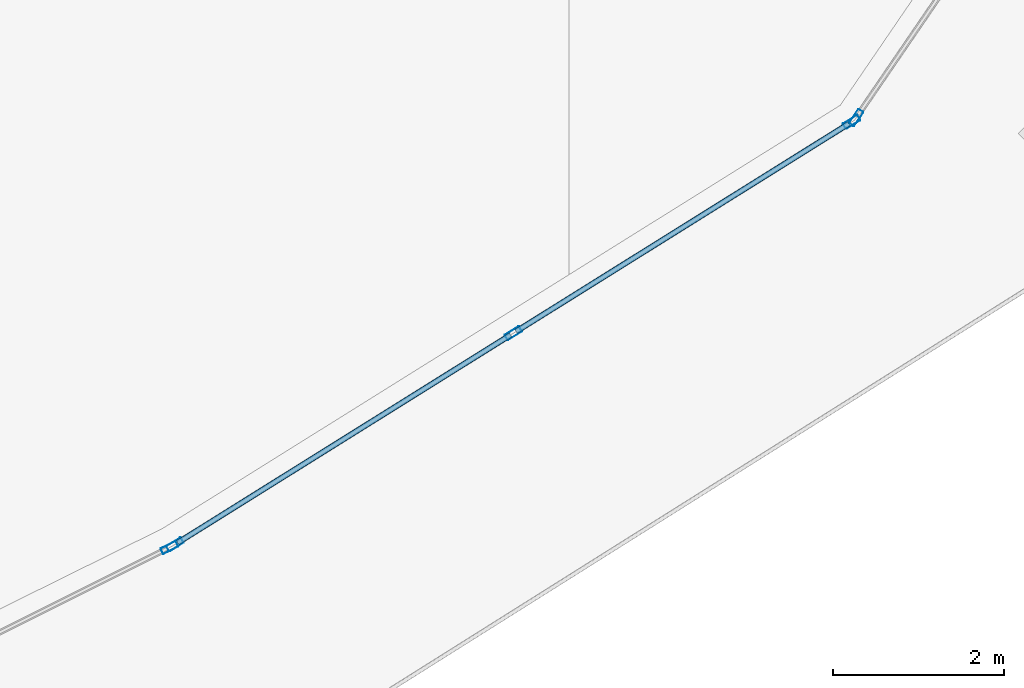
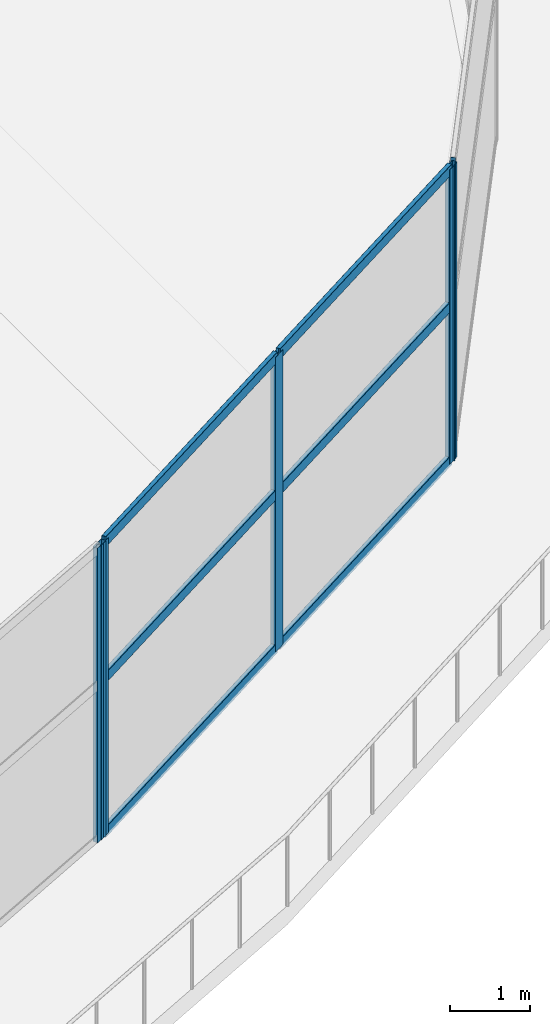
# One storey, part 7 of 42: 11 members, 3 elements without a shape of their own.
"""IFC4 building model written with IfcOpenShell, lengths in metres."""

from ifc_helpers import new_model, si_unit, direction, frame, origin, origin_2d, place, context, subcontext, project, spatial, hollow_rectangle, extrude, material, layer, layer_set, material_profile, profile_set, type_object, element, aggregate, save


model = new_model("IFC4")

# Units and contexts
model_context = context("Model", 3, precision=1e-05, world=origin(), true_north=direction((0.0, 1.0)))
body_context = subcontext(model_context, "Body", "Model", "MODEL_VIEW")
ifc_project = project(units=[si_unit("LENGTHUNIT", "METRE"), si_unit("AREAUNIT", "SQUARE_METRE"), si_unit("VOLUMEUNIT", "CUBIC_METRE"), si_unit("PLANEANGLEUNIT", "RADIAN"), si_unit("MASSUNIT", "GRAM", prefix="KILO")], contexts=[model_context])

# Site, building, storey
site_placement = place(None, origin())
site = spatial("IfcSite", under=ifc_project, at=site_placement, CompositionType="ELEMENT")
building_placement = place(site_placement, origin())
building = spatial("IfcBuilding", under=site, at=building_placement, Name="Qorvath Tower", CompositionType="ELEMENT")
storey_placement = place(building_placement, frame((0.0, 0.0, 105.0)))
storey = spatial("IfcBuildingStorey", under=building, at=storey_placement, Name="L23", CompositionType="ELEMENT", Elevation=105.0)

# Curtain wall, member
ifc_material_1 = material(Name="Anodised aluminium and triple low-E glass", Category="aluminium")
ifc_layer = layer(ifc_material_1, 0.179931640625)
ifc_layer_set = layer_set([ifc_layer], Name="CW-SYS-5")
curtain_wall_type = type_object("IfcCurtainWallType", Name="CW-SYS-5", PredefinedType="NOTDEFINED", material=ifc_layer_set)
curtain_wall_1_placement = place(storey_placement, origin())
curtain_wall_1 = element("IfcCurtainWall", 1, at=curtain_wall_1_placement, inside=storey, type_object=curtain_wall_type, Name="Curtain Wall CW-5 CW-T-L23-3.1", PredefinedType="NOTDEFINED")
ifc_material_2 = material(Name="Anodised aluminium 6063-T6", Category="aluminium")
ifc_material_profile_1 = material_profile(ifc_material_2, hollow_rectangle(XDim=0.074951171875, YDim=0.199951171875, WallThickness=0.00390625, InnerFilletRadius=0.00390625, OuterFilletRadius=0.008056640625, at=origin_2d()), Name="CWM 200x75")
ifc_profile_set_1 = profile_set([ifc_material_profile_1], Name="Anodised aluminium 6063-T6")
member_type_1 = type_object("IfcMemberType", Name="CWM-200", PredefinedType="MULLION", material=ifc_profile_set_1)
member_1_placement = place(storey_placement, frame((-11.0947265625, -29.1474609375, 0.0), z_axis=(0.0, 0.0, 1.0), x_axis=(-0.447189646231, 0.894439165234, 0.0)))
member_1 = element("IfcMember", 2, at=member_1_placement, type_object=member_type_1, Name="CW-5 mullion 2", PredefinedType="MULLION", context=body_context, shape_type="SweptSolid", body=[
    extrude(hollow_rectangle(XDim=0.074951171875, YDim=0.199951171875, WallThickness=0.00390625, InnerFilletRadius=0.00390625, OuterFilletRadius=0.008056640625, at=origin_2d()), origin(), (0.0, 0.0, 1.0), 4.52001953125),
])
aggregate(curtain_wall_1, [member_1])

# Curtain wall, members
curtain_wall_2_placement = place(storey_placement, origin())
curtain_wall_2 = element("IfcCurtainWall", 3, at=curtain_wall_2_placement, inside=storey, type_object=curtain_wall_type, Name="Curtain Wall CW-5 CW-T-L23-4.1", PredefinedType="NOTDEFINED")
member_2_placement = place(storey_placement, frame((-11.029541015625, -29.11083984375, 0.0), z_axis=(0.0, 0.0, 1.0), x_axis=(-0.529584429037, 0.848257232519, 0.0)))
member_2 = element("IfcMember", 4, at=member_2_placement, type_object=member_type_1, Name="CW-5 mullion 1", PredefinedType="MULLION", context=body_context, shape_type="SweptSolid", body=[
    extrude(hollow_rectangle(XDim=0.074951171875, YDim=0.199951171875, WallThickness=0.00390625, InnerFilletRadius=0.00390625, OuterFilletRadius=0.008056640625, at=origin_2d()), origin(), (0.0, 0.0, 1.0), 4.52001953125),
])
member_3_placement = place(storey_placement, frame((-7.078369140625, -26.643798828125, 0.0), z_axis=(0.0, 0.0, 1.0), x_axis=(-0.529584429037, 0.848257232519, 0.0)))
member_3 = element("IfcMember", 5, at=member_3_placement, type_object=member_type_1, Name="CW-5 mullion 2", PredefinedType="MULLION", context=body_context, shape_type="SweptSolid", body=[
    extrude(hollow_rectangle(XDim=0.074951171875, YDim=0.199951171875, WallThickness=0.00390625, InnerFilletRadius=0.00390625, OuterFilletRadius=0.008056640625, at=origin_2d()), origin(), (0.0, 0.0, 1.0), 4.52001953125),
])
member_4_placement = place(storey_placement, frame((-3.126953125, -24.177001953125, 0.0), z_axis=(0.0, 0.0, 1.0), x_axis=(-0.529584429037, 0.848257232519, 0.0)))
member_4 = element("IfcMember", 6, at=member_4_placement, type_object=member_type_1, Name="CW-5 mullion 3", PredefinedType="MULLION", context=body_context, shape_type="SweptSolid", body=[
    extrude(hollow_rectangle(XDim=0.074951171875, YDim=0.199951171875, WallThickness=0.00390625, InnerFilletRadius=0.00390625, OuterFilletRadius=0.008056640625, at=origin_2d()), origin(), (0.0, 0.0, 1.0), 4.52001953125),
])

# Curtain wall, member
curtain_wall_3_placement = place(storey_placement, origin())
curtain_wall_3 = element("IfcCurtainWall", 7, at=curtain_wall_3_placement, inside=storey, type_object=curtain_wall_type, Name="Curtain Wall CW-5 CW-T-L23-5.1", PredefinedType="NOTDEFINED")
member_5_placement = place(storey_placement, frame((-3.073974609375, -24.126220703125, 0.0), z_axis=(0.0, 0.0, 1.0), x_axis=(-0.825692764076, 0.564120075297, 0.0)))
member_5 = element("IfcMember", 8, at=member_5_placement, type_object=member_type_1, Name="CW-5 mullion 1", PredefinedType="MULLION", context=body_context, shape_type="SweptSolid", body=[
    extrude(hollow_rectangle(XDim=0.074951171875, YDim=0.199951171875, WallThickness=0.00390625, InnerFilletRadius=0.00390625, OuterFilletRadius=0.008056640625, at=origin_2d()), origin(), (0.0, 0.0, 1.0), 4.52001953125),
])
aggregate(curtain_wall_3, [member_5])

# Member
ifc_material_3 = material(Name="Anodised aluminium 6063-T6", Category="aluminium")
ifc_material_profile_2 = material_profile(ifc_material_3, hollow_rectangle(XDim=0.06494140625, YDim=0.159912109375, WallThickness=0.00341796875, InnerFilletRadius=0.00341796875, OuterFilletRadius=0.007080078125, at=origin_2d()), Name="CWT 160x65")
ifc_profile_set_2 = profile_set([ifc_material_profile_2], Name="Anodised aluminium 6063-T6")
member_type_2 = type_object("IfcMemberType", Name="CWT-160", PredefinedType="USERDEFINED", material=ifc_profile_set_2)
member_6_placement = place(storey_placement, frame((-10.997802734375, -29.0908203125, 0.032470703125), z_axis=(0.848273518332, 0.529558342486, 0.0), x_axis=(-0.529558342486, 0.848273518332, 0.0)))
member_6 = element("IfcMember", 9, at=member_6_placement, type_object=member_type_2, Name="CW-5 transom 1.1", ObjectType="TRANSOM", PredefinedType="USERDEFINED", context=body_context, shape_type="SweptSolid", body=[
    extrude(hollow_rectangle(XDim=0.06494140625, YDim=0.159912109375, WallThickness=0.00341796875, InnerFilletRadius=0.00341796875, OuterFilletRadius=0.007080078125, at=origin_2d()), origin(), (0.0, 0.0, 1.0), 4.5830078125),
])

member_7_placement = place(storey_placement, frame((-10.997802734375, -29.0908203125, 2.39990234375), z_axis=(0.848273518332, 0.529558342486, 0.0), x_axis=(-0.529558342486, 0.848273518332, 0.0)))
member_7 = element("IfcMember", 10, at=member_7_placement, type_object=member_type_2, Name="CW-5 transom 1.2", ObjectType="TRANSOM", PredefinedType="USERDEFINED", context=body_context, shape_type="SweptSolid", body=[
    extrude(hollow_rectangle(XDim=0.06494140625, YDim=0.159912109375, WallThickness=0.00341796875, InnerFilletRadius=0.00341796875, OuterFilletRadius=0.007080078125, at=origin_2d()), origin(), (0.0, 0.0, 1.0), 4.5830078125),
])

member_8_placement = place(storey_placement, frame((-10.997802734375, -29.0908203125, 4.487548828125), z_axis=(0.848273518332, 0.529558342486, 0.0), x_axis=(-0.529558342486, 0.848273518332, 0.0)))
member_8 = element("IfcMember", 11, at=member_8_placement, type_object=member_type_2, Name="CW-5 transom 1.3", ObjectType="TRANSOM", PredefinedType="USERDEFINED", context=body_context, shape_type="SweptSolid", body=[
    extrude(hollow_rectangle(XDim=0.06494140625, YDim=0.159912109375, WallThickness=0.00341796875, InnerFilletRadius=0.00341796875, OuterFilletRadius=0.007080078125, at=origin_2d()), origin(), (0.0, 0.0, 1.0), 4.5830078125),
])

member_9_placement = place(storey_placement, frame((-7.04638671875, -26.6240234375, 0.032470703125), z_axis=(0.848258578669, 0.529582272847, 0.0), x_axis=(-0.529582272847, 0.848258578669, 0.0)))
member_9 = element("IfcMember", 12, at=member_9_placement, type_object=member_type_2, Name="CW-5 transom 2.1", ObjectType="TRANSOM", PredefinedType="USERDEFINED", context=body_context, shape_type="SweptSolid", body=[
    extrude(hollow_rectangle(XDim=0.06494140625, YDim=0.159912109375, WallThickness=0.00341796875, InnerFilletRadius=0.00341796875, OuterFilletRadius=0.007080078125, at=origin_2d()), origin(), (0.0, 0.0, 1.0), 4.582763671875),
])

member_10_placement = place(storey_placement, frame((-7.04638671875, -26.6240234375, 2.39990234375), z_axis=(0.848258578669, 0.529582272847, 0.0), x_axis=(-0.529582272847, 0.848258578669, 0.0)))
member_10 = element("IfcMember", 13, at=member_10_placement, type_object=member_type_2, Name="CW-5 transom 2.2", ObjectType="TRANSOM", PredefinedType="USERDEFINED", context=body_context, shape_type="SweptSolid", body=[
    extrude(hollow_rectangle(XDim=0.06494140625, YDim=0.159912109375, WallThickness=0.00341796875, InnerFilletRadius=0.00341796875, OuterFilletRadius=0.007080078125, at=origin_2d()), origin(), (0.0, 0.0, 1.0), 4.582763671875),
])

member_11_placement = place(storey_placement, frame((-7.04638671875, -26.6240234375, 4.487548828125), z_axis=(0.848258578669, 0.529582272847, 0.0), x_axis=(-0.529582272847, 0.848258578669, 0.0)))
member_11 = element("IfcMember", 14, at=member_11_placement, type_object=member_type_2, Name="CW-5 transom 2.3", ObjectType="TRANSOM", PredefinedType="USERDEFINED", context=body_context, shape_type="SweptSolid", body=[
    extrude(hollow_rectangle(XDim=0.06494140625, YDim=0.159912109375, WallThickness=0.00341796875, InnerFilletRadius=0.00341796875, OuterFilletRadius=0.007080078125, at=origin_2d()), origin(), (0.0, 0.0, 1.0), 4.582763671875),
])

aggregate(curtain_wall_2, [member_2, member_3, member_4, member_6, member_7, member_8, member_9, member_10, member_11])

save(model, "model.ifc")
